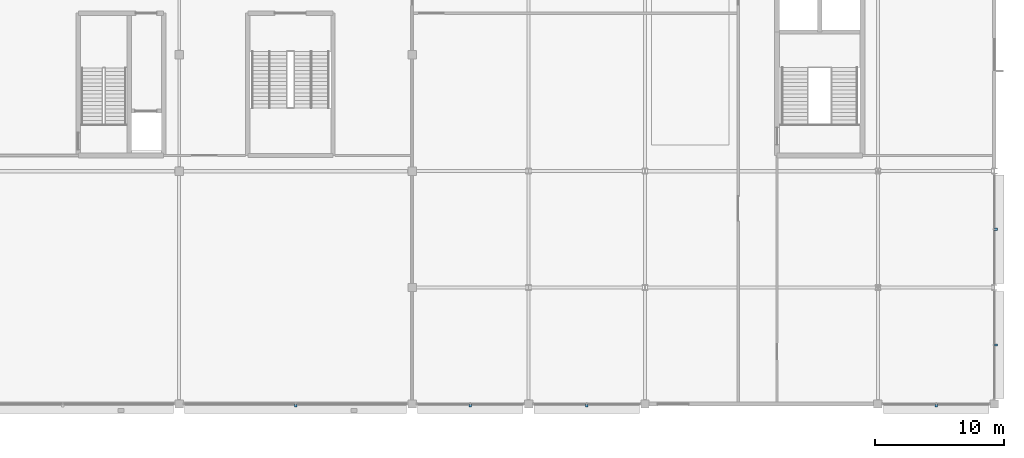
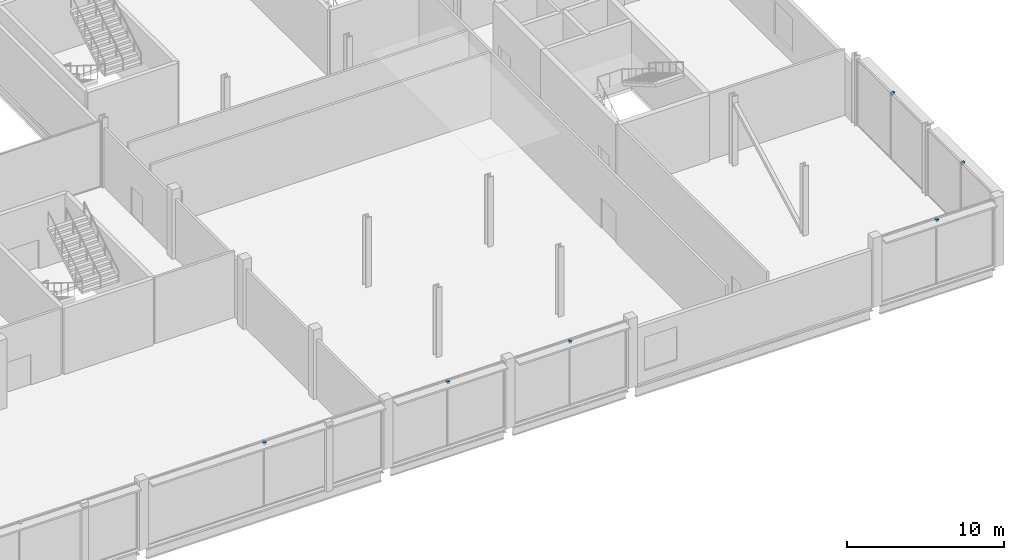
# One storey, part 78 of 113: 6 discrete accessories.
"""IFC4 building model written with IfcOpenShell, lengths in metres."""

from ifc_helpers import new_model, si_unit, direction, frame, origin, origin_2d, place, context, subcontext, project, spatial, rectangle, extrude, material, type_object, element, save


model = new_model("IFC4")

# Units and contexts
model_context = context("Model", 3, precision=1e-05, world=origin(), true_north=direction((0.0, 1.0)))
body_context = subcontext(model_context, "Body", "Model", "MODEL_VIEW")
ifc_project = project(units=[si_unit("LENGTHUNIT", "METRE"), si_unit("AREAUNIT", "SQUARE_METRE"), si_unit("VOLUMEUNIT", "CUBIC_METRE"), si_unit("PLANEANGLEUNIT", "RADIAN"), si_unit("MASSUNIT", "GRAM", prefix="KILO")], contexts=[model_context])

# Site, building, storey
site_placement = place(None, origin())
site = spatial("IfcSite", under=ifc_project, at=site_placement, CompositionType="ELEMENT")
building_placement = place(site_placement, origin())
building = spatial("IfcBuilding", under=site, at=building_placement, Name="Kisiwana Market Hall", CompositionType="ELEMENT")
storey_placement = place(building_placement, frame((0.0, 0.0, 6.0)))
storey = spatial("IfcBuildingStorey", under=building, at=storey_placement, Name="L01", CompositionType="ELEMENT", Elevation=6.0)

# Discrete accessories
ifc_material = material(Name="Steel S355", Category="steel")
discrete_accessory_type = type_object("IfcDiscreteAccessoryType", Name="ACC-BRACKET-STL", PredefinedType="BRACKET", material=ifc_material)
for number, where, z_axis, x_axis, name in (
    (1, (144.0, -0.110107421875, 4.93994140625), (0.0, 0.0, 1.0), (1.0, 0.0, 0.0), "Sunshade steel bracket BRK-013"),
    (2, (157.5, -0.110107421875, 4.93994140625), (0.0, 0.0, 1.0), (1.0, 0.0, 0.0), "Sunshade steel bracket BRK-014"),
    (3, (166.5, -0.110107421875, 4.93994140625), (0.0, 0.0, 1.0), (1.0, 0.0, 0.0), "Sunshade steel bracket BRK-015"),
    (4, (193.5, -0.110107421875, 4.93994140625), (0.0, 0.0, 1.0), (1.0, 0.0, 0.0), "Sunshade steel bracket BRK-016"),
    (5, (198.110107421875, 4.560791015625, 4.93994140625), (0.0, 0.0, 1.0), (0.0, 1.0, 0.0), "Sunshade steel bracket BRK-029"),
    (6, (198.110107421875, 13.492919921875, 4.93994140625), (0.0, 0.0, 1.0), (0.0, 1.0, 0.0), "Sunshade steel bracket BRK-030"),
):
    element("IfcDiscreteAccessory", number, at=place(storey_placement, frame(where, z_axis=z_axis, x_axis=x_axis)), inside=storey, type_object=discrete_accessory_type, Name=name, PredefinedType="BRACKET", context=body_context, shape_type="SweptSolid", body=[
        extrude(rectangle(XDim=0.179931640625, YDim=0.239990234375, at=origin_2d()), origin(), (0.0, 0.0, 1.0), 0.179931640625),
    ])

save(model, "model.ifc")
